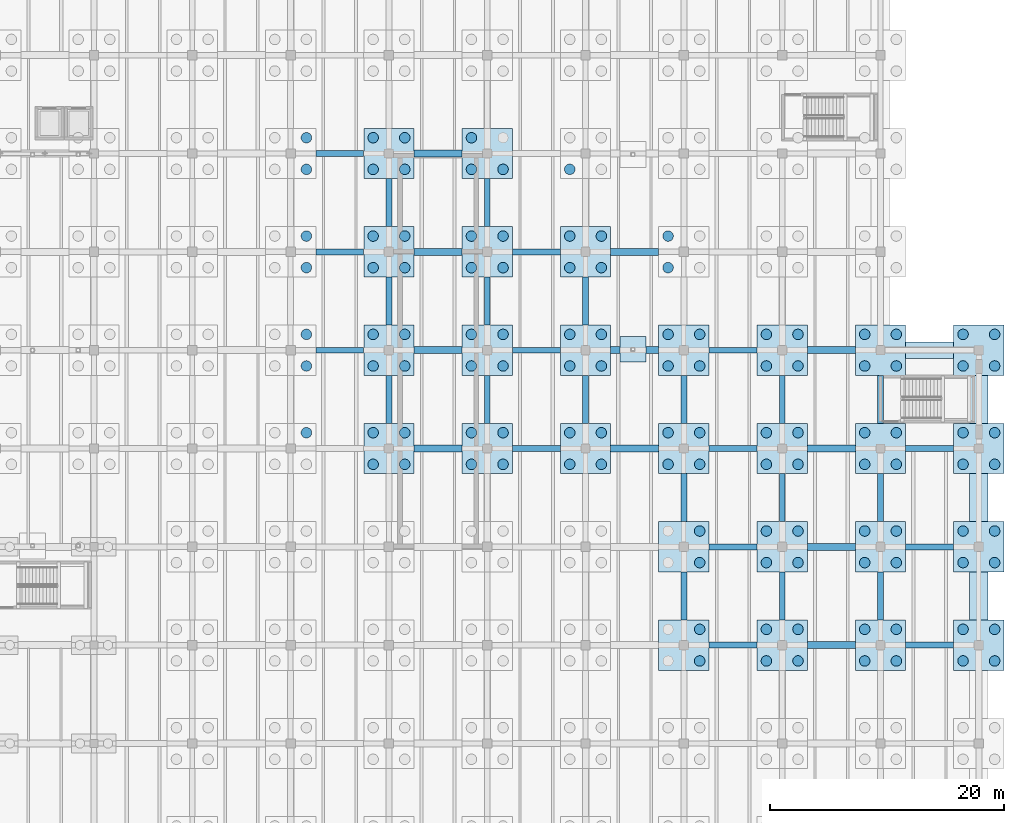
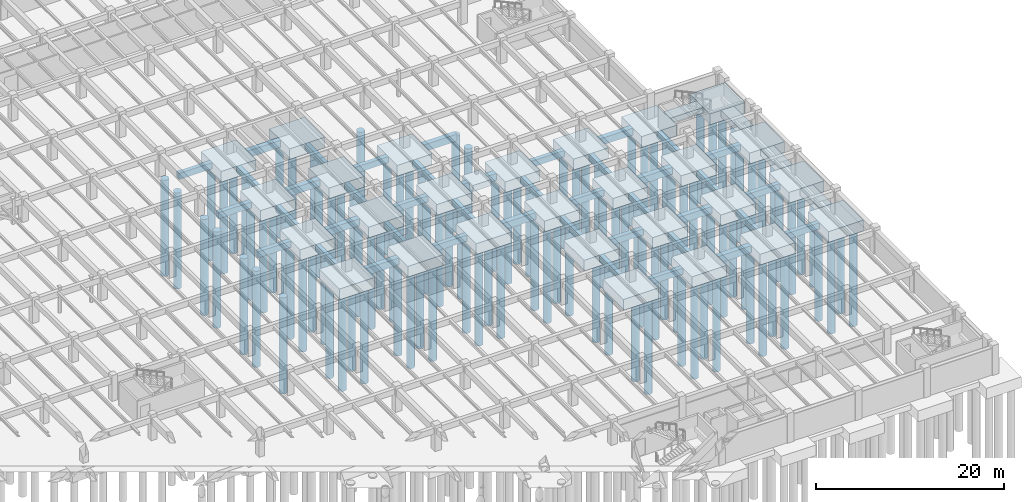
# One storey, part 11 of 70: 113 piles, 74 footings.
"""IFC4 building model written with IfcOpenShell, lengths in metres."""

from ifc_helpers import new_model, si_unit, direction, frame, origin, origin_2d, place, context, subcontext, project, spatial, rectangle, circle, extrude, material, material_profile, profile_set, type_object, element, save


model = new_model("IFC4")

# Units and contexts
model_context = context("Model", 3, precision=1e-05, world=origin(), true_north=direction((0.0, 1.0)))
body_context = subcontext(model_context, "Body", "Model", "MODEL_VIEW")
ifc_project = project(units=[si_unit("LENGTHUNIT", "METRE"), si_unit("AREAUNIT", "SQUARE_METRE"), si_unit("VOLUMEUNIT", "CUBIC_METRE"), si_unit("PLANEANGLEUNIT", "RADIAN"), si_unit("MASSUNIT", "GRAM", prefix="KILO")], contexts=[model_context])

# Site, building, storey
site_placement = place(None, origin())
site = spatial("IfcSite", under=ifc_project, at=site_placement, CompositionType="ELEMENT")
building_placement = place(site_placement, origin())
building = spatial("IfcBuilding", under=site, at=building_placement, Name="Cumbredor Promenade Congress Hotel", CompositionType="ELEMENT")
storey_placement = place(building_placement, frame((0.0, 0.0, -7.56005859375)))
storey = spatial("IfcBuildingStorey", under=building, at=storey_placement, Name="B02", CompositionType="ELEMENT", Elevation=-7.56005859375)

# Piles
ifc_material = material(Name="Concrete C40/50", Category="concrete")
ifc_material_profile_1 = material_profile(ifc_material, circle(Radius=0.449951171875, at=origin_2d()), Name="PILE D900")
ifc_profile_set_1 = profile_set([ifc_material_profile_1], Name="Concrete C40/50")
pile_type = type_object("IfcPileType", Name="Bored Concrete Pile BP-02 900mm", PredefinedType="BORED", material=ifc_profile_set_1)
for number, where, z_axis, x_axis, name in (
    (1, (127.35009765625, 60.14990234375, -1.75), (0.0, 0.0, -1.0), (1.0, 0.0, 0.0), "Bored Pile PC-02-204.4"),
    (2, (127.35009765625, 65.85009765625, -1.75), (0.0, 0.0, -1.0), (1.0, 0.0, 0.0), "Bored Pile PC-02-205.2"),
    (3, (127.35009765625, 68.550048828125, -1.75), (0.0, 0.0, -1.0), (1.0, 0.0, 0.0), "Bored Pile PC-02-205.4"),
    (4, (127.35009765625, 74.25, -1.75), (0.0, 0.0, -1.0), (1.0, 0.0, 0.0), "Bored Pile PC-02-206.2"),
    (5, (127.35009765625, 76.949951171875, -1.75), (0.0, 0.0, -1.0), (1.0, 0.0, 0.0), "Bored Pile PC-02-206.4"),
    (6, (127.35009765625, 82.64990234375, -1.75), (0.0, 0.0, -1.0), (1.0, 0.0, 0.0), "Bored Pile PC-02-207.2"),
    (7, (127.35009765625, 85.35009765625, -1.75), (0.0, 0.0, -1.0), (1.0, 0.0, 0.0), "Bored Pile PC-02-207.4"),
    (8, (133.050048828125, 57.449951171875, -1.75), (0.0, 0.0, -1.0), (1.0, 0.0, 0.0), "Bored Pile PC-02-218.1"),
    (9, (135.75, 57.449951171875, -1.75), (0.0, 0.0, -1.0), (1.0, 0.0, 0.0), "Bored Pile PC-02-218.2"),
    (10, (133.050048828125, 60.14990234375, -1.75), (0.0, 0.0, -1.0), (1.0, 0.0, 0.0), "Bored Pile PC-02-218.3"),
    (11, (135.75, 60.14990234375, -1.75), (0.0, 0.0, -1.0), (1.0, 0.0, 0.0), "Bored Pile PC-02-218.4"),
    (12, (133.050048828125, 65.85009765625, -1.75), (0.0, 0.0, -1.0), (1.0, 0.0, 0.0), "Bored Pile PC-02-219.1"),
    (13, (135.75, 65.85009765625, -1.75), (0.0, 0.0, -1.0), (1.0, 0.0, 0.0), "Bored Pile PC-02-219.2"),
    (14, (133.050048828125, 68.550048828125, -1.75), (0.0, 0.0, -1.0), (1.0, 0.0, 0.0), "Bored Pile PC-02-219.3"),
    (15, (135.75, 68.550048828125, -1.75), (0.0, 0.0, -1.0), (1.0, 0.0, 0.0), "Bored Pile PC-02-219.4"),
    (16, (133.050048828125, 74.25, -1.75), (0.0, 0.0, -1.0), (1.0, 0.0, 0.0), "Bored Pile PC-02-220.1"),
    (17, (135.75, 74.25, -1.75), (0.0, 0.0, -1.0), (1.0, 0.0, 0.0), "Bored Pile PC-02-220.2"),
    (18, (133.050048828125, 76.949951171875, -1.75), (0.0, 0.0, -1.0), (1.0, 0.0, 0.0), "Bored Pile PC-02-220.3"),
    (19, (135.75, 76.949951171875, -1.75), (0.0, 0.0, -1.0), (1.0, 0.0, 0.0), "Bored Pile PC-02-220.4"),
    (20, (133.050048828125, 82.64990234375, -1.75), (0.0, 0.0, -1.0), (1.0, 0.0, 0.0), "Bored Pile PC-02-221.1"),
    (21, (135.75, 82.64990234375, -1.75), (0.0, 0.0, -1.0), (1.0, 0.0, 0.0), "Bored Pile PC-02-221.2"),
    (22, (133.050048828125, 85.35009765625, -1.75), (0.0, 0.0, -1.0), (1.0, 0.0, 0.0), "Bored Pile PC-02-221.3"),
    (23, (135.75, 85.35009765625, -1.75), (0.0, 0.0, -1.0), (1.0, 0.0, 0.0), "Bored Pile PC-02-221.4"),
    (24, (141.449951171875, 57.449951171875, -1.75), (0.0, 0.0, -1.0), (1.0, 0.0, 0.0), "Bored Pile PC-02-232.1"),
    (25, (144.14990234375, 57.449951171875, -1.75), (0.0, 0.0, -1.0), (1.0, 0.0, 0.0), "Bored Pile PC-02-232.2"),
    (26, (141.449951171875, 60.14990234375, -1.75), (0.0, 0.0, -1.0), (1.0, 0.0, 0.0), "Bored Pile PC-02-232.3"),
    (27, (144.14990234375, 60.14990234375, -1.75), (0.0, 0.0, -1.0), (1.0, 0.0, 0.0), "Bored Pile PC-02-232.4"),
    (28, (141.449951171875, 65.85009765625, -1.75), (0.0, 0.0, -1.0), (1.0, 0.0, 0.0), "Bored Pile PC-02-233.1"),
    (29, (144.14990234375, 65.85009765625, -1.75), (0.0, 0.0, -1.0), (1.0, 0.0, 0.0), "Bored Pile PC-02-233.2"),
    (30, (141.449951171875, 68.550048828125, -1.75), (0.0, 0.0, -1.0), (1.0, 0.0, 0.0), "Bored Pile PC-02-233.3"),
    (31, (144.14990234375, 68.550048828125, -1.75), (0.0, 0.0, -1.0), (1.0, 0.0, 0.0), "Bored Pile PC-02-233.4"),
    (32, (141.449951171875, 74.25, -1.75), (0.0, 0.0, -1.0), (1.0, 0.0, 0.0), "Bored Pile PC-02-234.1"),
    (33, (144.14990234375, 74.25, -1.75), (0.0, 0.0, -1.0), (1.0, 0.0, 0.0), "Bored Pile PC-02-234.2"),
    (34, (141.449951171875, 76.949951171875, -1.75), (0.0, 0.0, -1.0), (1.0, 0.0, 0.0), "Bored Pile PC-02-234.3"),
    (35, (144.14990234375, 76.949951171875, -1.75), (0.0, 0.0, -1.0), (1.0, 0.0, 0.0), "Bored Pile PC-02-234.4"),
    (36, (141.449951171875, 82.64990234375, -1.75), (0.0, 0.0, -1.0), (1.0, 0.0, 0.0), "Bored Pile PC-02-235.1"),
    (37, (144.14990234375, 82.64990234375, -1.75), (0.0, 0.0, -1.0), (1.0, 0.0, 0.0), "Bored Pile PC-02-235.2"),
    (38, (141.449951171875, 85.35009765625, -1.75), (0.0, 0.0, -1.0), (1.0, 0.0, 0.0), "Bored Pile PC-02-235.3"),
    (39, (149.85009765625, 57.449951171875, -1.75), (0.0, 0.0, -1.0), (1.0, 0.0, 0.0), "Bored Pile PC-02-246.1"),
    (40, (152.550048828125, 57.449951171875, -1.75), (0.0, 0.0, -1.0), (1.0, 0.0, 0.0), "Bored Pile PC-02-246.2"),
    (41, (149.85009765625, 60.14990234375, -1.75), (0.0, 0.0, -1.0), (1.0, 0.0, 0.0), "Bored Pile PC-02-246.3"),
    (42, (152.550048828125, 60.14990234375, -1.75), (0.0, 0.0, -1.0), (1.0, 0.0, 0.0), "Bored Pile PC-02-246.4"),
    (43, (149.85009765625, 65.85009765625, -1.75), (0.0, 0.0, -1.0), (1.0, 0.0, 0.0), "Bored Pile PC-02-247.1"),
    (44, (152.550048828125, 65.85009765625, -1.75), (0.0, 0.0, -1.0), (1.0, 0.0, 0.0), "Bored Pile PC-02-247.2"),
    (45, (149.85009765625, 68.550048828125, -1.75), (0.0, 0.0, -1.0), (1.0, 0.0, 0.0), "Bored Pile PC-02-247.3"),
    (46, (152.550048828125, 68.550048828125, -1.75), (0.0, 0.0, -1.0), (1.0, 0.0, 0.0), "Bored Pile PC-02-247.4"),
    (47, (149.85009765625, 74.25, -1.75), (0.0, 0.0, -1.0), (1.0, 0.0, 0.0), "Bored Pile PC-02-248.1"),
    (48, (152.550048828125, 74.25, -1.75), (0.0, 0.0, -1.0), (1.0, 0.0, 0.0), "Bored Pile PC-02-248.2"),
    (49, (149.85009765625, 76.949951171875, -1.75), (0.0, 0.0, -1.0), (1.0, 0.0, 0.0), "Bored Pile PC-02-248.3"),
    (50, (152.550048828125, 76.949951171875, -1.75), (0.0, 0.0, -1.0), (1.0, 0.0, 0.0), "Bored Pile PC-02-248.4"),
    (51, (149.85009765625, 82.64990234375, -1.75), (0.0, 0.0, -1.0), (1.0, 0.0, 0.0), "Bored Pile PC-02-249.1"),
    (52, (160.949951171875, 40.64990234375, -1.75), (0.0, 0.0, -1.0), (1.0, 0.0, 0.0), "Bored Pile PC-02-258.2"),
    (53, (160.949951171875, 43.35009765625, -1.75), (0.0, 0.0, -1.0), (1.0, 0.0, 0.0), "Bored Pile PC-02-258.4"),
    (54, (160.949951171875, 49.050048828125, -1.75), (0.0, 0.0, -1.0), (1.0, 0.0, 0.0), "Bored Pile PC-02-259.2"),
    (55, (160.949951171875, 51.75, -1.75), (0.0, 0.0, -1.0), (1.0, 0.0, 0.0), "Bored Pile PC-02-259.4"),
    (56, (158.25, 57.449951171875, -1.75), (0.0, 0.0, -1.0), (1.0, 0.0, 0.0), "Bored Pile PC-02-260.1"),
    (57, (160.949951171875, 57.449951171875, -1.75), (0.0, 0.0, -1.0), (1.0, 0.0, 0.0), "Bored Pile PC-02-260.2"),
    (58, (158.25, 60.14990234375, -1.75), (0.0, 0.0, -1.0), (1.0, 0.0, 0.0), "Bored Pile PC-02-260.3"),
    (59, (160.949951171875, 60.14990234375, -1.75), (0.0, 0.0, -1.0), (1.0, 0.0, 0.0), "Bored Pile PC-02-260.4"),
    (60, (158.25, 65.85009765625, -1.75), (0.0, 0.0, -1.0), (1.0, 0.0, 0.0), "Bored Pile PC-02-261.1"),
    (61, (160.949951171875, 65.85009765625, -1.75), (0.0, 0.0, -1.0), (1.0, 0.0, 0.0), "Bored Pile PC-02-261.2"),
    (62, (158.25, 68.550048828125, -1.75), (0.0, 0.0, -1.0), (1.0, 0.0, 0.0), "Bored Pile PC-02-261.3"),
    (63, (160.949951171875, 68.550048828125, -1.75), (0.0, 0.0, -1.0), (1.0, 0.0, 0.0), "Bored Pile PC-02-261.4"),
    (64, (158.25, 74.25, -1.75), (0.0, 0.0, -1.0), (1.0, 0.0, 0.0), "Bored Pile PC-02-262.1"),
    (65, (158.25, 76.949951171875, -1.75), (0.0, 0.0, -1.0), (1.0, 0.0, 0.0), "Bored Pile PC-02-262.3"),
    (66, (166.64990234375, 40.64990234375, -1.75), (0.0, 0.0, -1.0), (1.0, 0.0, 0.0), "Bored Pile PC-02-272.1"),
    (67, (169.35009765625, 40.64990234375, -1.75), (0.0, 0.0, -1.0), (1.0, 0.0, 0.0), "Bored Pile PC-02-272.2"),
    (68, (166.64990234375, 43.35009765625, -1.75), (0.0, 0.0, -1.0), (1.0, 0.0, 0.0), "Bored Pile PC-02-272.3"),
    (69, (169.35009765625, 43.35009765625, -1.75), (0.0, 0.0, -1.0), (1.0, 0.0, 0.0), "Bored Pile PC-02-272.4"),
    (70, (166.64990234375, 49.050048828125, -1.75), (0.0, 0.0, -1.0), (1.0, 0.0, 0.0), "Bored Pile PC-02-273.1"),
    (71, (169.35009765625, 49.050048828125, -1.75), (0.0, 0.0, -1.0), (1.0, 0.0, 0.0), "Bored Pile PC-02-273.2"),
    (72, (166.64990234375, 51.75, -1.75), (0.0, 0.0, -1.0), (1.0, 0.0, 0.0), "Bored Pile PC-02-273.3"),
    (73, (169.35009765625, 51.75, -1.75), (0.0, 0.0, -1.0), (1.0, 0.0, 0.0), "Bored Pile PC-02-273.4"),
    (74, (166.64990234375, 57.449951171875, -1.75), (0.0, 0.0, -1.0), (1.0, 0.0, 0.0), "Bored Pile PC-02-274.1"),
    (75, (169.35009765625, 57.449951171875, -1.75), (0.0, 0.0, -1.0), (1.0, 0.0, 0.0), "Bored Pile PC-02-274.2"),
    (76, (166.64990234375, 60.14990234375, -1.75), (0.0, 0.0, -1.0), (1.0, 0.0, 0.0), "Bored Pile PC-02-274.3"),
    (77, (169.35009765625, 60.14990234375, -1.75), (0.0, 0.0, -1.0), (1.0, 0.0, 0.0), "Bored Pile PC-02-274.4"),
    (78, (166.64990234375, 65.85009765625, -1.75), (0.0, 0.0, -1.0), (1.0, 0.0, 0.0), "Bored Pile PC-02-275.1"),
    (79, (169.35009765625, 65.85009765625, -1.75), (0.0, 0.0, -1.0), (1.0, 0.0, 0.0), "Bored Pile PC-02-275.2"),
    (80, (166.64990234375, 68.550048828125, -1.75), (0.0, 0.0, -1.0), (1.0, 0.0, 0.0), "Bored Pile PC-02-275.3"),
    (81, (169.35009765625, 68.550048828125, -1.75), (0.0, 0.0, -1.0), (1.0, 0.0, 0.0), "Bored Pile PC-02-275.4"),
    (82, (175.050048828125, 40.64990234375, -1.75), (0.0, 0.0, -1.0), (1.0, 0.0, 0.0), "Bored Pile PC-02-286.1"),
    (83, (177.75, 40.64990234375, -1.75), (0.0, 0.0, -1.0), (1.0, 0.0, 0.0), "Bored Pile PC-02-286.2"),
    (84, (175.050048828125, 43.35009765625, -1.75), (0.0, 0.0, -1.0), (1.0, 0.0, 0.0), "Bored Pile PC-02-286.3"),
    (85, (177.75, 43.35009765625, -1.75), (0.0, 0.0, -1.0), (1.0, 0.0, 0.0), "Bored Pile PC-02-286.4"),
    (86, (175.050048828125, 49.050048828125, -1.75), (0.0, 0.0, -1.0), (1.0, 0.0, 0.0), "Bored Pile PC-02-287.1"),
    (87, (177.75, 49.050048828125, -1.75), (0.0, 0.0, -1.0), (1.0, 0.0, 0.0), "Bored Pile PC-02-287.2"),
    (88, (175.050048828125, 51.75, -1.75), (0.0, 0.0, -1.0), (1.0, 0.0, 0.0), "Bored Pile PC-02-287.3"),
    (89, (177.75, 51.75, -1.75), (0.0, 0.0, -1.0), (1.0, 0.0, 0.0), "Bored Pile PC-02-287.4"),
    (90, (175.050048828125, 57.449951171875, -1.75), (0.0, 0.0, -1.0), (1.0, 0.0, 0.0), "Bored Pile PC-02-288.1"),
    (91, (177.75, 57.449951171875, -1.75), (0.0, 0.0, -1.0), (1.0, 0.0, 0.0), "Bored Pile PC-02-288.2"),
    (92, (175.050048828125, 60.14990234375, -1.75), (0.0, 0.0, -1.0), (1.0, 0.0, 0.0), "Bored Pile PC-02-288.3"),
    (93, (177.75, 60.14990234375, -1.75), (0.0, 0.0, -1.0), (1.0, 0.0, 0.0), "Bored Pile PC-02-288.4"),
    (94, (175.050048828125, 65.85009765625, -1.75), (0.0, 0.0, -1.0), (1.0, 0.0, 0.0), "Bored Pile PC-02-289.1"),
    (95, (177.75, 65.85009765625, -1.75), (0.0, 0.0, -1.0), (1.0, 0.0, 0.0), "Bored Pile PC-02-289.2"),
    (96, (175.050048828125, 68.550048828125, -1.75), (0.0, 0.0, -1.0), (1.0, 0.0, 0.0), "Bored Pile PC-02-289.3"),
    (97, (177.75, 68.550048828125, -1.75), (0.0, 0.0, -1.0), (1.0, 0.0, 0.0), "Bored Pile PC-02-289.4"),
    (98, (183.449951171875, 40.64990234375, -1.75), (0.0, 0.0, -1.0), (1.0, 0.0, 0.0), "Bored Pile PC-02-300.1"),
    (99, (186.14990234375, 40.64990234375, -1.75), (0.0, 0.0, -1.0), (1.0, 0.0, 0.0), "Bored Pile PC-02-300.2"),
    (100, (183.449951171875, 43.35009765625, -1.75), (0.0, 0.0, -1.0), (1.0, 0.0, 0.0), "Bored Pile PC-02-300.3"),
    (101, (186.14990234375, 43.35009765625, -1.75), (0.0, 0.0, -1.0), (1.0, 0.0, 0.0), "Bored Pile PC-02-300.4"),
    (102, (183.449951171875, 49.050048828125, -1.75), (0.0, 0.0, -1.0), (1.0, 0.0, 0.0), "Bored Pile PC-02-301.1"),
    (103, (186.14990234375, 49.050048828125, -1.75), (0.0, 0.0, -1.0), (1.0, 0.0, 0.0), "Bored Pile PC-02-301.2"),
    (104, (183.449951171875, 51.75, -1.75), (0.0, 0.0, -1.0), (1.0, 0.0, 0.0), "Bored Pile PC-02-301.3"),
    (105, (186.14990234375, 51.75, -1.75), (0.0, 0.0, -1.0), (1.0, 0.0, 0.0), "Bored Pile PC-02-301.4"),
    (106, (183.449951171875, 57.449951171875, -1.75), (0.0, 0.0, -1.0), (1.0, 0.0, 0.0), "Bored Pile PC-02-302.1"),
    (107, (186.14990234375, 57.449951171875, -1.75), (0.0, 0.0, -1.0), (1.0, 0.0, 0.0), "Bored Pile PC-02-302.2"),
    (108, (183.449951171875, 60.14990234375, -1.75), (0.0, 0.0, -1.0), (1.0, 0.0, 0.0), "Bored Pile PC-02-302.3"),
    (109, (186.14990234375, 60.14990234375, -1.75), (0.0, 0.0, -1.0), (1.0, 0.0, 0.0), "Bored Pile PC-02-302.4"),
    (110, (183.449951171875, 65.85009765625, -1.75), (0.0, 0.0, -1.0), (1.0, 0.0, 0.0), "Bored Pile PC-02-303.1"),
    (111, (186.14990234375, 65.85009765625, -1.75), (0.0, 0.0, -1.0), (1.0, 0.0, 0.0), "Bored Pile PC-02-303.2"),
    (112, (183.449951171875, 68.550048828125, -1.75), (0.0, 0.0, -1.0), (1.0, 0.0, 0.0), "Bored Pile PC-02-303.3"),
    (113, (186.14990234375, 68.550048828125, -1.75), (0.0, 0.0, -1.0), (1.0, 0.0, 0.0), "Bored Pile PC-02-303.4"),
):
    element("IfcPile", number, at=place(storey_placement, frame(where, z_axis=z_axis, x_axis=x_axis)), inside=storey, type_object=pile_type, Name=name, PredefinedType="BORED", context=body_context, shape_type="SweptSolid", body=[
        extrude(circle(Radius=0.449951171875, at=origin_2d()), origin(), (0.0, 0.0, 1.0), 12.5),
    ])

# Footings
ifc_material_profile_2 = material_profile(ifc_material, rectangle(XDim=0.5, YDim=0.800048828125, at=origin_2d()), Name="FB 500x800")
ifc_profile_set_2 = profile_set([ifc_material_profile_2], Name="Concrete C40/50")
footing_type_1 = type_object("IfcFootingType", Name="Concrete Footing Tie Beam FB-01 500x800", PredefinedType="FOOTING_BEAM", material=ifc_profile_set_2)
for number, where, z_axis, x_axis, name in (
    (114, (128.152099609375, 67.199951171875, -0.89990234375), (1.0, 0.0, 0.0), (0.0, 1.0, 0.0), "Seismic Footing Tie Beam FB-385"),
    (115, (128.152099609375, 75.60009765625, -0.89990234375), (1.0, 0.0, 0.0), (0.0, 1.0, 0.0), "Seismic Footing Tie Beam FB-387"),
    (116, (128.152099609375, 84.0, -0.89990234375), (1.0, 0.0, 0.0), (0.0, 1.0, 0.0), "Seismic Footing Tie Beam FB-389"),
):
    element("IfcFooting", number, at=place(storey_placement, frame(where, z_axis=z_axis, x_axis=x_axis)), inside=storey, type_object=footing_type_1, Name=name, PredefinedType="FOOTING_BEAM", context=body_context, shape_type="SweptSolid", body=[
        extrude(rectangle(XDim=0.5, YDim=0.800048828125, at=origin_2d()), origin(), (0.0, 0.0, 1.0), 4.095947265625),
    ])
footing_1_placement = place(storey_placement, frame((134.39990234375, 60.951904296875, -0.89990234375), z_axis=(0.0, 1.0, 0.0), x_axis=(-1.0, 0.0, 0.0)))
element("IfcFooting", 117, at=footing_1_placement, inside=storey, type_object=footing_type_1, Name="Seismic Footing Tie Beam FB-411", PredefinedType="FOOTING_BEAM", context=body_context, shape_type="SweptSolid", body=[
    extrude(rectangle(XDim=0.5, YDim=0.800048828125, at=origin_2d()), origin(), (0.0, 0.0, 1.0), 4.09619140625),
])
for number, where, z_axis, x_axis, name in (
    (118, (134.39990234375, 69.35205078125, -0.89990234375), (0.0, 1.0, 0.0), (-1.0, 0.0, 0.0), "Seismic Footing Tie Beam FB-413"),
    (119, (134.39990234375, 77.751953125, -0.89990234375), (0.0, 1.0, 0.0), (-1.0, 0.0, 0.0), "Seismic Footing Tie Beam FB-415"),
):
    element("IfcFooting", number, at=place(storey_placement, frame(where, z_axis=z_axis, x_axis=x_axis)), inside=storey, type_object=footing_type_1, Name=name, PredefinedType="FOOTING_BEAM", context=body_context, shape_type="SweptSolid", body=[
        extrude(rectangle(XDim=0.5, YDim=0.800048828125, at=origin_2d()), origin(), (0.0, 0.0, 1.0), 4.095947265625),
    ])
for number, where, z_axis, x_axis, name in (
    (120, (144.951904296875, 58.800048828125, -0.89990234375), (1.0, 0.0, 0.0), (0.0, 1.0, 0.0), "Seismic Footing Tie Beam FB-437"),
    (121, (142.800048828125, 60.951904296875, -0.89990234375), (0.0, 1.0, 0.0), (-1.0, 0.0, 0.0), "Seismic Footing Tie Beam FB-438"),
    (122, (144.951904296875, 67.199951171875, -0.89990234375), (1.0, 0.0, 0.0), (0.0, 1.0, 0.0), "Seismic Footing Tie Beam FB-439"),
):
    element("IfcFooting", number, at=place(storey_placement, frame(where, z_axis=z_axis, x_axis=x_axis)), inside=storey, type_object=footing_type_1, Name=name, PredefinedType="FOOTING_BEAM", context=body_context, shape_type="SweptSolid", body=[
        extrude(rectangle(XDim=0.5, YDim=0.800048828125, at=origin_2d()), origin(), (0.0, 0.0, 1.0), 4.09619140625),
    ])
footing_2_placement = place(storey_placement, frame((142.800048828125, 69.35205078125, -0.89990234375), z_axis=(0.0, 1.0, 0.0), x_axis=(-1.0, 0.0, 0.0)))
element("IfcFooting", 123, at=footing_2_placement, inside=storey, type_object=footing_type_1, Name="Seismic Footing Tie Beam FB-440", PredefinedType="FOOTING_BEAM", context=body_context, shape_type="SweptSolid", body=[
    extrude(rectangle(XDim=0.5, YDim=0.800048828125, at=origin_2d()), origin(), (0.0, 0.0, 1.0), 4.095947265625),
])
footing_3_placement = place(storey_placement, frame((144.951904296875, 75.60009765625, -0.89990234375), z_axis=(1.0, 0.0, 0.0), x_axis=(0.0, 1.0, 0.0)))
element("IfcFooting", 124, at=footing_3_placement, inside=storey, type_object=footing_type_1, Name="Seismic Footing Tie Beam FB-441", PredefinedType="FOOTING_BEAM", context=body_context, shape_type="SweptSolid", body=[
    extrude(rectangle(XDim=0.5, YDim=0.800048828125, at=origin_2d()), origin(), (0.0, 0.0, 1.0), 4.09619140625),
])
footing_4_placement = place(storey_placement, frame((142.800048828125, 77.751953125, -0.89990234375), z_axis=(0.0, 1.0, 0.0), x_axis=(-1.0, 0.0, 0.0)))
element("IfcFooting", 125, at=footing_4_placement, inside=storey, type_object=footing_type_1, Name="Seismic Footing Tie Beam FB-442", PredefinedType="FOOTING_BEAM", context=body_context, shape_type="SweptSolid", body=[
    extrude(rectangle(XDim=0.5, YDim=0.800048828125, at=origin_2d()), origin(), (0.0, 0.0, 1.0), 4.095947265625),
])
footing_5_placement = place(storey_placement, frame((151.199951171875, 60.951904296875, -0.89990234375), z_axis=(0.0, 1.0, 0.0), x_axis=(-1.0, 0.0, 0.0)))
element("IfcFooting", 126, at=footing_5_placement, inside=storey, type_object=footing_type_1, Name="Seismic Footing Tie Beam FB-465", PredefinedType="FOOTING_BEAM", context=body_context, shape_type="SweptSolid", body=[
    extrude(rectangle(XDim=0.5, YDim=0.800048828125, at=origin_2d()), origin(), (0.0, 0.0, 1.0), 4.09619140625),
])
for number, where, z_axis, x_axis, name in (
    (127, (151.199951171875, 69.35205078125, -0.89990234375), (0.0, 1.0, 0.0), (-1.0, 0.0, 0.0), "Seismic Footing Tie Beam FB-467"),
    (128, (161.751953125, 42.0, -0.89990234375), (1.0, 0.0, 0.0), (0.0, 1.0, 0.0), "Seismic Footing Tie Beam FB-487"),
    (129, (159.60009765625, 44.152099609375, -0.89990234375), (0.0, 1.0, 0.0), (-1.0, 0.0, 0.0), "Seismic Footing Tie Beam FB-488"),
    (130, (161.751953125, 50.39990234375, -0.89990234375), (1.0, 0.0, 0.0), (0.0, 1.0, 0.0), "Seismic Footing Tie Beam FB-489"),
    (131, (159.60009765625, 52.552001953125, -0.89990234375), (0.0, 1.0, 0.0), (-1.0, 0.0, 0.0), "Seismic Footing Tie Beam FB-490"),
    (132, (161.751953125, 58.800048828125, -0.89990234375), (1.0, 0.0, 0.0), (0.0, 1.0, 0.0), "Seismic Footing Tie Beam FB-491"),
):
    element("IfcFooting", number, at=place(storey_placement, frame(where, z_axis=z_axis, x_axis=x_axis)), inside=storey, type_object=footing_type_1, Name=name, PredefinedType="FOOTING_BEAM", context=body_context, shape_type="SweptSolid", body=[
        extrude(rectangle(XDim=0.5, YDim=0.800048828125, at=origin_2d()), origin(), (0.0, 0.0, 1.0), 4.095947265625),
    ])
footing_6_placement = place(storey_placement, frame((159.60009765625, 60.951904296875, -0.89990234375), z_axis=(0.0, 1.0, 0.0), x_axis=(-1.0, 0.0, 0.0)))
element("IfcFooting", 133, at=footing_6_placement, inside=storey, type_object=footing_type_1, Name="Seismic Footing Tie Beam FB-492", PredefinedType="FOOTING_BEAM", context=body_context, shape_type="SweptSolid", body=[
    extrude(rectangle(XDim=0.5, YDim=0.800048828125, at=origin_2d()), origin(), (0.0, 0.0, 1.0), 4.09619140625),
])
for number, where, z_axis, x_axis, name in (
    (134, (161.751953125, 67.199951171875, -0.89990234375), (1.0, 0.0, 0.0), (0.0, 1.0, 0.0), "Seismic Footing Tie Beam FB-493"),
    (135, (168.0, 44.152099609375, -0.89990234375), (0.0, 1.0, 0.0), (-1.0, 0.0, 0.0), "Seismic Footing Tie Beam FB-515"),
    (136, (168.0, 52.552001953125, -0.89990234375), (0.0, 1.0, 0.0), (-1.0, 0.0, 0.0), "Seismic Footing Tie Beam FB-517"),
):
    element("IfcFooting", number, at=place(storey_placement, frame(where, z_axis=z_axis, x_axis=x_axis)), inside=storey, type_object=footing_type_1, Name=name, PredefinedType="FOOTING_BEAM", context=body_context, shape_type="SweptSolid", body=[
        extrude(rectangle(XDim=0.5, YDim=0.800048828125, at=origin_2d()), origin(), (0.0, 0.0, 1.0), 4.095947265625),
    ])
footing_7_placement = place(storey_placement, frame((168.0, 60.951904296875, -0.89990234375), z_axis=(0.0, 1.0, 0.0), x_axis=(-1.0, 0.0, 0.0)))
element("IfcFooting", 137, at=footing_7_placement, inside=storey, type_object=footing_type_1, Name="Seismic Footing Tie Beam FB-519", PredefinedType="FOOTING_BEAM", context=body_context, shape_type="SweptSolid", body=[
    extrude(rectangle(XDim=0.5, YDim=0.800048828125, at=origin_2d()), origin(), (0.0, 0.0, 1.0), 4.09619140625),
])
for number, where, z_axis, x_axis, name in (
    (138, (178.552001953125, 42.0, -0.89990234375), (1.0, 0.0, 0.0), (0.0, 1.0, 0.0), "Seismic Footing Tie Beam FB-541"),
    (139, (176.39990234375, 44.152099609375, -0.89990234375), (0.0, 1.0, 0.0), (-1.0, 0.0, 0.0), "Seismic Footing Tie Beam FB-542"),
    (140, (178.552001953125, 50.39990234375, -0.89990234375), (1.0, 0.0, 0.0), (0.0, 1.0, 0.0), "Seismic Footing Tie Beam FB-543"),
    (141, (176.39990234375, 52.552001953125, -0.89990234375), (0.0, 1.0, 0.0), (-1.0, 0.0, 0.0), "Seismic Footing Tie Beam FB-544"),
    (142, (178.552001953125, 58.800048828125, -0.89990234375), (1.0, 0.0, 0.0), (0.0, 1.0, 0.0), "Seismic Footing Tie Beam FB-545"),
):
    element("IfcFooting", number, at=place(storey_placement, frame(where, z_axis=z_axis, x_axis=x_axis)), inside=storey, type_object=footing_type_1, Name=name, PredefinedType="FOOTING_BEAM", context=body_context, shape_type="SweptSolid", body=[
        extrude(rectangle(XDim=0.5, YDim=0.800048828125, at=origin_2d()), origin(), (0.0, 0.0, 1.0), 4.095947265625),
    ])
footing_8_placement = place(storey_placement, frame((176.39990234375, 60.951904296875, -0.89990234375), z_axis=(0.0, 1.0, 0.0), x_axis=(-1.0, 0.0, 0.0)))
element("IfcFooting", 143, at=footing_8_placement, inside=storey, type_object=footing_type_1, Name="Seismic Footing Tie Beam FB-546", PredefinedType="FOOTING_BEAM", context=body_context, shape_type="SweptSolid", body=[
    extrude(rectangle(XDim=0.5, YDim=0.800048828125, at=origin_2d()), origin(), (0.0, 0.0, 1.0), 4.09619140625),
])
ifc_material_profile_3 = material_profile(ifc_material, rectangle(XDim=0.60009765625, YDim=0.89990234375, at=origin_2d()), Name="FB 600x900")
ifc_profile_set_3 = profile_set([ifc_material_profile_3], Name="Concrete C40/50")
footing_type_2 = type_object("IfcFootingType", Name="Concrete Footing Tie Beam FB-02 600x900", PredefinedType="FOOTING_BEAM", material=ifc_profile_set_3)
for number, where, z_axis, x_axis, name in (
    (144, (136.552001953125, 58.800048828125, -0.949951171875), (1.0, 0.0, 0.0), (0.0, 1.0, 0.0), "Seismic Footing Tie Beam FB-410"),
    (145, (136.552001953125, 67.199951171875, -0.949951171875), (1.0, 0.0, 0.0), (0.0, 1.0, 0.0), "Seismic Footing Tie Beam FB-412"),
    (146, (136.552001953125, 75.60009765625, -0.949951171875), (1.0, 0.0, 0.0), (0.0, 1.0, 0.0), "Seismic Footing Tie Beam FB-414"),
    (147, (136.552001953125, 84.0, -0.949951171875), (1.0, 0.0, 0.0), (0.0, 1.0, 0.0), "Seismic Footing Tie Beam FB-416"),
    (148, (153.35205078125, 58.800048828125, -0.949951171875), (1.0, 0.0, 0.0), (0.0, 1.0, 0.0), "Seismic Footing Tie Beam FB-464"),
):
    element("IfcFooting", number, at=place(storey_placement, frame(where, z_axis=z_axis, x_axis=x_axis)), inside=storey, type_object=footing_type_2, Name=name, PredefinedType="FOOTING_BEAM", context=body_context, shape_type="SweptSolid", body=[
        extrude(rectangle(XDim=0.60009765625, YDim=0.89990234375, at=origin_2d()), origin(), (0.0, 0.0, 1.0), 4.095947265625),
    ])
footing_9_placement = place(storey_placement, frame((153.35205078125, 67.199951171875, -0.949951171875), z_axis=(1.0, 0.0, 0.0), x_axis=(0.0, 1.0, 0.0)))
element("IfcFooting", 149, at=footing_9_placement, inside=storey, type_object=footing_type_2, Name="Seismic Footing Tie Beam FB-466 Seg 01", PredefinedType="FOOTING_BEAM", context=body_context, shape_type="SweptSolid", body=[
    extrude(rectangle(XDim=0.60009765625, YDim=0.89990234375, at=origin_2d()), origin(), (0.0, 0.0, 1.0), 0.7958984375),
])
footing_10_placement = place(storey_placement, frame((156.35205078125, 67.199951171875, -0.949951171875), z_axis=(1.0, 0.0, 0.0), x_axis=(0.0, 1.0, 0.0)))
element("IfcFooting", 150, at=footing_10_placement, inside=storey, type_object=footing_type_2, Name="Seismic Footing Tie Beam FB-466 Seg 02", PredefinedType="FOOTING_BEAM", context=body_context, shape_type="SweptSolid", body=[
    extrude(rectangle(XDim=0.60009765625, YDim=0.89990234375, at=origin_2d()), origin(), (0.0, 0.0, 1.0), 1.095947265625),
])
for number, where, z_axis, x_axis, name in (
    (151, (153.35205078125, 75.60009765625, -0.949951171875), (1.0, 0.0, 0.0), (0.0, 1.0, 0.0), "Seismic Footing Tie Beam FB-468"),
    (152, (170.152099609375, 42.0, -0.949951171875), (1.0, 0.0, 0.0), (0.0, 1.0, 0.0), "Seismic Footing Tie Beam FB-514"),
    (153, (170.152099609375, 50.39990234375, -0.949951171875), (1.0, 0.0, 0.0), (0.0, 1.0, 0.0), "Seismic Footing Tie Beam FB-516"),
    (154, (170.152099609375, 58.800048828125, -0.949951171875), (1.0, 0.0, 0.0), (0.0, 1.0, 0.0), "Seismic Footing Tie Beam FB-518"),
    (155, (170.152099609375, 67.199951171875, -0.949951171875), (1.0, 0.0, 0.0), (0.0, 1.0, 0.0), "Seismic Footing Tie Beam FB-520"),
):
    element("IfcFooting", number, at=place(storey_placement, frame(where, z_axis=z_axis, x_axis=x_axis)), inside=storey, type_object=footing_type_2, Name=name, PredefinedType="FOOTING_BEAM", context=body_context, shape_type="SweptSolid", body=[
        extrude(rectangle(XDim=0.60009765625, YDim=0.89990234375, at=origin_2d()), origin(), (0.0, 0.0, 1.0), 4.095947265625),
    ])
footing_type_3 = type_object("IfcFootingType", Name="Concrete Pad Footing PF-01 2200x2200x800", PredefinedType="PAD_FOOTING", material=ifc_material)
footing_11_placement = place(storey_placement, frame((155.25, 67.280029296875, -1.2998046875), z_axis=(0.0, 0.0, 1.0), x_axis=(1.0, 0.0, 0.0)))
element("IfcFooting", 156, at=footing_11_placement, inside=storey, type_object=footing_type_3, Name="East Ballroom-to-Forum Glazed Bridge Corbel Pier Footing 2", PredefinedType="PAD_FOOTING", context=body_context, shape_type="SweptSolid", body=[
    extrude(rectangle(XDim=2.199951171875, YDim=2.199951171875, at=origin_2d()), origin(), (0.0, 0.0, 1.0), 0.800048828125),
])
footing_type_4 = type_object("IfcFootingType", Name="Concrete Pile Cap PC-02 4300x4300x1400", PredefinedType="PILE_CAP", material=ifc_material)
for number, where, z_axis, x_axis, name in (
    (157, (134.39990234375, 58.800048828125, -1.89990234375), (0.0, 0.0, 1.0), (1.0, 0.0, 0.0), "Pile Cap PC-02 218"),
    (158, (134.39990234375, 67.199951171875, -1.89990234375), (0.0, 0.0, 1.0), (1.0, 0.0, 0.0), "Pile Cap PC-02 219"),
    (159, (134.39990234375, 75.60009765625, -1.89990234375), (0.0, 0.0, 1.0), (1.0, 0.0, 0.0), "Pile Cap PC-02 220"),
    (160, (134.39990234375, 84.0, -1.89990234375), (0.0, 0.0, 1.0), (1.0, 0.0, 0.0), "Pile Cap PC-02 221"),
    (161, (142.800048828125, 58.800048828125, -1.89990234375), (0.0, 0.0, 1.0), (1.0, 0.0, 0.0), "Pile Cap PC-02 232"),
    (162, (142.800048828125, 67.199951171875, -1.89990234375), (0.0, 0.0, 1.0), (1.0, 0.0, 0.0), "Pile Cap PC-02 233"),
    (163, (142.800048828125, 75.60009765625, -1.89990234375), (0.0, 0.0, 1.0), (1.0, 0.0, 0.0), "Pile Cap PC-02 234"),
    (164, (142.800048828125, 84.0, -1.89990234375), (0.0, 0.0, 1.0), (1.0, 0.0, 0.0), "Pile Cap PC-02 235"),
    (165, (151.199951171875, 58.800048828125, -1.89990234375), (0.0, 0.0, 1.0), (1.0, 0.0, 0.0), "Pile Cap PC-02 246"),
    (166, (151.199951171875, 67.199951171875, -1.89990234375), (0.0, 0.0, 1.0), (1.0, 0.0, 0.0), "Pile Cap PC-02 247"),
    (167, (151.199951171875, 75.60009765625, -1.89990234375), (0.0, 0.0, 1.0), (1.0, 0.0, 0.0), "Pile Cap PC-02 248"),
    (168, (159.60009765625, 42.0, -1.89990234375), (0.0, 0.0, 1.0), (1.0, 0.0, 0.0), "Pile Cap PC-02 258"),
    (169, (159.60009765625, 50.39990234375, -1.89990234375), (0.0, 0.0, 1.0), (1.0, 0.0, 0.0), "Pile Cap PC-02 259"),
    (170, (159.60009765625, 58.800048828125, -1.89990234375), (0.0, 0.0, 1.0), (1.0, 0.0, 0.0), "Pile Cap PC-02 260"),
    (171, (159.60009765625, 67.199951171875, -1.89990234375), (0.0, 0.0, 1.0), (1.0, 0.0, 0.0), "Pile Cap PC-02 261"),
    (172, (168.0, 42.0, -1.89990234375), (0.0, 0.0, 1.0), (1.0, 0.0, 0.0), "Pile Cap PC-02 272"),
    (173, (168.0, 50.39990234375, -1.89990234375), (0.0, 0.0, 1.0), (1.0, 0.0, 0.0), "Pile Cap PC-02 273"),
    (174, (168.0, 58.800048828125, -1.89990234375), (0.0, 0.0, 1.0), (1.0, 0.0, 0.0), "Pile Cap PC-02 274"),
    (175, (168.0, 67.199951171875, -1.89990234375), (0.0, 0.0, 1.0), (1.0, 0.0, 0.0), "Pile Cap PC-02 275"),
    (176, (176.39990234375, 42.0, -1.89990234375), (0.0, 0.0, 1.0), (1.0, 0.0, 0.0), "Pile Cap PC-02 286"),
    (177, (176.39990234375, 50.39990234375, -1.89990234375), (0.0, 0.0, 1.0), (1.0, 0.0, 0.0), "Pile Cap PC-02 287"),
    (178, (176.39990234375, 58.800048828125, -1.89990234375), (0.0, 0.0, 1.0), (1.0, 0.0, 0.0), "Pile Cap PC-02 288"),
    (179, (176.39990234375, 67.199951171875, -1.89990234375), (0.0, 0.0, 1.0), (1.0, 0.0, 0.0), "Pile Cap PC-02 289"),
    (180, (184.800048828125, 42.0, -1.89990234375), (0.0, 0.0, 1.0), (1.0, 0.0, 0.0), "Pile Cap PC-02 300"),
    (181, (184.800048828125, 50.39990234375, -1.89990234375), (0.0, 0.0, 1.0), (1.0, 0.0, 0.0), "Pile Cap PC-02 301"),
    (182, (184.800048828125, 58.800048828125, -1.89990234375), (0.0, 0.0, 1.0), (1.0, 0.0, 0.0), "Pile Cap PC-02 302"),
    (183, (184.800048828125, 67.199951171875, -1.89990234375), (0.0, 0.0, 1.0), (1.0, 0.0, 0.0), "Pile Cap PC-02 303"),
):
    element("IfcFooting", number, at=place(storey_placement, frame(where, z_axis=z_axis, x_axis=x_axis)), inside=storey, type_object=footing_type_4, Name=name, PredefinedType="PILE_CAP", context=body_context, shape_type="SweptSolid", body=[
        extrude(rectangle(XDim=4.300048828125, YDim=4.300048828125, at=origin_2d()), origin(), (0.0, 0.0, 1.0), 1.39990234375),
    ])
ifc_material_profile_4 = material_profile(ifc_material, rectangle(XDim=1.39990234375, YDim=0.699951171875, at=origin_2d()), Name="SF 1400x700")
ifc_profile_set_4 = profile_set([ifc_material_profile_4], Name="Concrete C40/50")
footing_type_5 = type_object("IfcFootingType", Name="Concrete Strip Footing SF-01 1400x700", PredefinedType="STRIP_FOOTING", material=ifc_profile_set_4)
footing_12_placement = place(storey_placement, frame((178.552001953125, 67.199951171875, -0.849853515625), z_axis=(1.0, 0.0, 0.0), x_axis=(0.0, 1.0, 0.0)))
element("IfcFooting", 184, at=footing_12_placement, inside=storey, type_object=footing_type_5, Name="Perimeter Strip Footing SF-03", PredefinedType="STRIP_FOOTING", context=body_context, shape_type="SweptSolid", body=[
    extrude(rectangle(XDim=1.39990234375, YDim=0.699951171875, at=origin_2d()), origin(), (0.0, 0.0, 1.0), 4.095947265625),
])
ifc_material_profile_5 = material_profile(ifc_material, rectangle(XDim=1.60009765625, YDim=0.800048828125, at=origin_2d()), Name="SF 1600x800")
ifc_profile_set_5 = profile_set([ifc_material_profile_5], Name="Concrete C40/50")
footing_type_6 = type_object("IfcFootingType", Name="Concrete Strip Footing SF-02 1600x800", PredefinedType="STRIP_FOOTING", material=ifc_profile_set_5)
for number, where, z_axis, x_axis, name in (
    (185, (184.800048828125, 44.152099609375, -0.89990234375), (0.0, 1.0, 0.0), (-1.0, 0.0, 0.0), "Perimeter Strip Footing SF-02 Seg 05"),
    (186, (184.800048828125, 52.552001953125, -0.89990234375), (0.0, 1.0, 0.0), (-1.0, 0.0, 0.0), "Perimeter Strip Footing SF-02 Seg 06"),
):
    element("IfcFooting", number, at=place(storey_placement, frame(where, z_axis=z_axis, x_axis=x_axis)), inside=storey, type_object=footing_type_6, Name=name, PredefinedType="STRIP_FOOTING", context=body_context, shape_type="SweptSolid", body=[
        extrude(rectangle(XDim=1.60009765625, YDim=0.800048828125, at=origin_2d()), origin(), (0.0, 0.0, 1.0), 4.095947265625),
    ])
footing_13_placement = place(storey_placement, frame((184.800048828125, 60.951904296875, -0.89990234375), z_axis=(0.0, 1.0, 0.0), x_axis=(-1.0, 0.0, 0.0)))
element("IfcFooting", 187, at=footing_13_placement, inside=storey, type_object=footing_type_6, Name="Perimeter Strip Footing SF-02 Seg 07", PredefinedType="STRIP_FOOTING", context=body_context, shape_type="SweptSolid", body=[
    extrude(rectangle(XDim=1.60009765625, YDim=0.800048828125, at=origin_2d()), origin(), (0.0, 0.0, 1.0), 4.09619140625),
])

save(model, "model.ifc")
